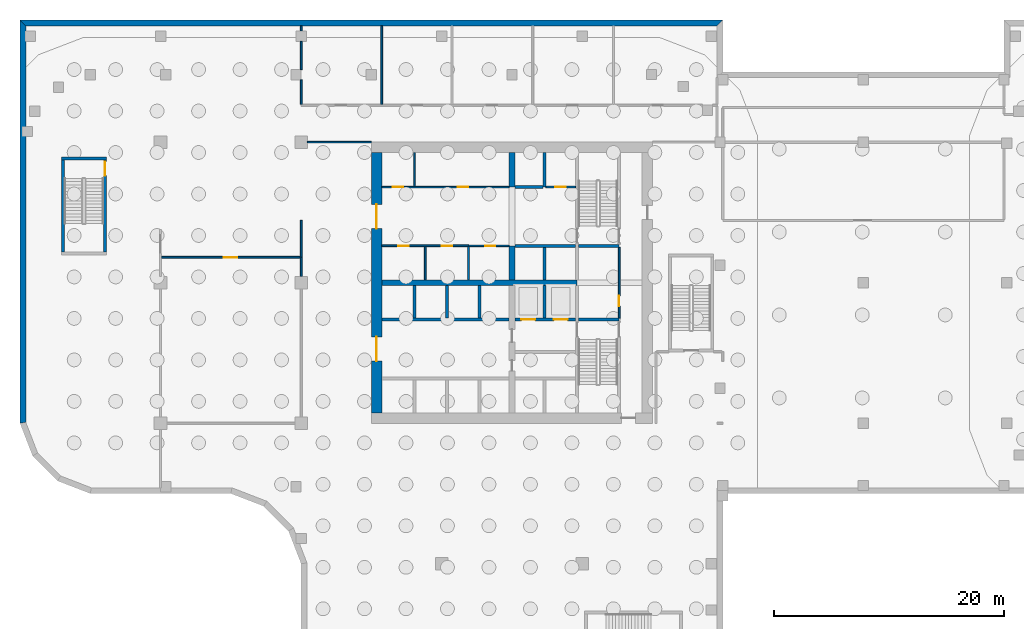
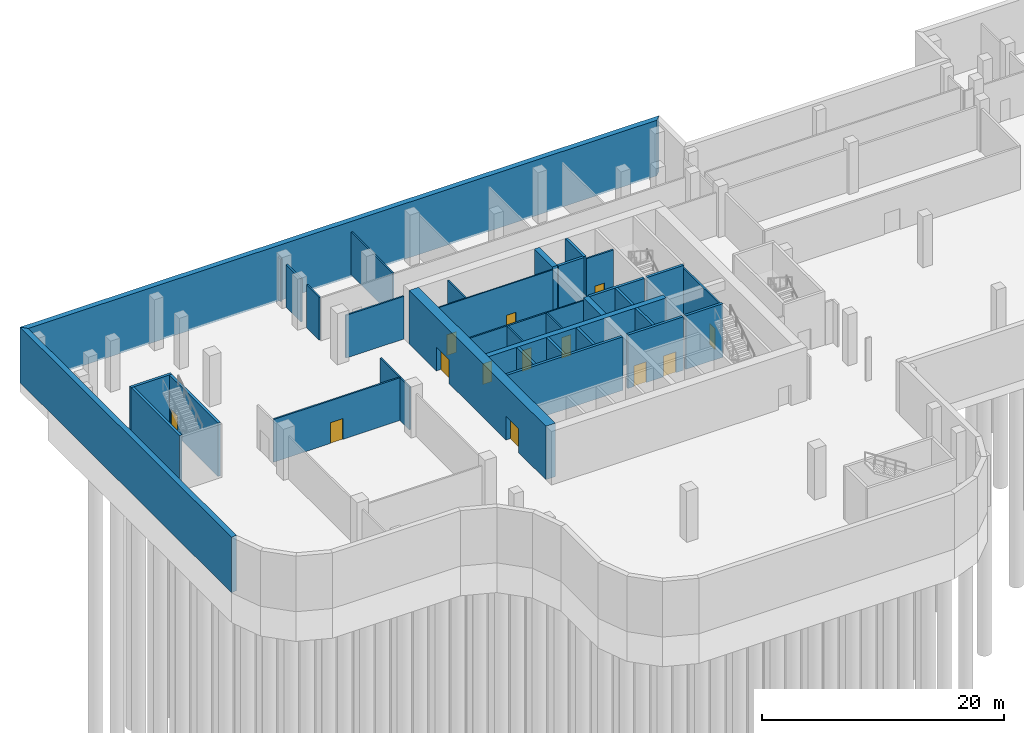
# One storey, part 5 of 13: 37 walls, 13 doors, 13 openings.
"""IFC4 building model written with IfcOpenShell, lengths in metres."""

from ifc_helpers import new_model, si_unit, direction, frame, frame_2d, origin, place, context, subcontext, project, spatial, polyline, rectangle, outline, extrude, source, transform, mapped, material, layer, layer_set, type_object, element, fill, save


model = new_model("IFC4")

# Units and contexts
model_context = context("Model", 3, precision=1e-05, world=origin(), true_north=direction((0.0, 1.0)))
body_context = subcontext(model_context, "Body", "Model", "MODEL_VIEW")
ifc_project = project(units=[si_unit("LENGTHUNIT", "METRE"), si_unit("AREAUNIT", "SQUARE_METRE"), si_unit("VOLUMEUNIT", "CUBIC_METRE"), si_unit("PLANEANGLEUNIT", "RADIAN"), si_unit("MASSUNIT", "GRAM", prefix="KILO")], contexts=[model_context])

# Site, building, storey
site_placement = place(None, origin())
site = spatial("IfcSite", under=ifc_project, at=site_placement, CompositionType="ELEMENT")
building_placement = place(site_placement, origin())
building = spatial("IfcBuilding", under=site, at=building_placement, Name="Tessera Gate Towers", CompositionType="ELEMENT")
storey_placement = place(building_placement, frame((0.0, 0.0, -5.39990234375)))
storey = spatial("IfcBuildingStorey", under=building, at=storey_placement, Name="B1", CompositionType="ELEMENT", Elevation=-5.39990234375)

# Wall
ifc_material_1 = material(Name="Concrete C40/50", Category="concrete")
ifc_layer_1 = layer(ifc_material_1, 0.25)
ifc_layer_set_1 = layer_set([ifc_layer_1], Name="CORE ENCLOSURE WALL 250")
wall_type_1 = type_object("IfcWallType", Name="CORE ENCLOSURE WALL 250", PredefinedType="SOLIDWALL", material=ifc_layer_set_1)
wall_1_placement = place(storey_placement, frame((31.39990234375, 33.39990234375, 0.0), z_axis=(0.0, 0.0, 1.0), x_axis=(1.0, 0.0, 0.0)))
element("IfcWall", 1, at=wall_1_placement, inside=storey, type_object=wall_type_1, Name="B1 shaft and stair enclosure wall", PredefinedType="SOLIDWALL", context=body_context, shape_type="SweptSolid", body=[
    extrude(rectangle(XDim=11.050048828125, YDim=0.25, at=frame_2d((5.52490234375, 0.0))), origin(), (0.0, 0.0, 1.0), 5.39990234375),
])

# Wall, openings, doors
wall_2_placement = place(storey_placement, frame((48.22509765625, 33.39990234375, 0.0), z_axis=(0.0, 0.0, 1.0), x_axis=(-1.0, 0.0, 0.0)))
wall_2 = element("IfcWall", 2, at=wall_2_placement, inside=storey, type_object=wall_type_1, Name="B1 shaft and stair enclosure wall", PredefinedType="SOLIDWALL", context=body_context, shape_type="SweptSolid", body=[
    extrude(rectangle(XDim=5.275146484375, YDim=0.25, at=frame_2d((2.6376953125, 0.0))), origin(), (0.0, 0.0, 1.0), 5.39990234375),
])
shared_shape_1 = source(origin(), body_context, "Body", "SweptSolid", [
    extrude(rectangle(XDim=1.199951171875, YDim=2.10009765625, at=frame_2d((0.60009765625, 1.050048828125))), frame((0.0, 0.135009765625, 0.0), z_axis=(0.0, -1.0, 0.0), x_axis=(1.0, 0.0, 0.0)), (0.0, 0.0, 1.0), 0.27001953125),
])
opening_1_placement = place(wall_2_placement, frame((3.512451171875, 0.0, 0.0)))
opening_1 = element("IfcOpeningElement", 3, at=opening_1_placement, cuts=wall_2, Name="Opening LD-FF1", PredefinedType="OPENING", context=body_context, shape_type="MappedRepresentation", body=[
    mapped(shared_shape_1, transform((0.0, 0.0, 0.0), scale=1.0)),
])
opening_2_placement = place(wall_2_placement, frame((0.6875, 0.0, 0.0)))
opening_2 = element("IfcOpeningElement", 4, at=opening_2_placement, cuts=wall_2, Name="Opening LD-FF2", PredefinedType="OPENING", context=body_context, shape_type="MappedRepresentation", body=[
    mapped(shared_shape_1, transform((0.0, 0.0, 0.0), scale=1.0)),
])
ifc_material_2 = material(Name="Stainless steel", Category="steel")
door_type_1 = type_object("IfcDoorType", Name="CORE DOOR LD1200 1200x2100", OperationType="DOUBLE_DOOR_SLIDING", PredefinedType="DOOR", material=ifc_material_2)
shared_shape_2 = source(origin(), body_context, "Body", "SweptSolid", [
    extrude(rectangle(XDim=1.199951171875, YDim=2.10009765625, at=frame_2d((0.60009765625, 1.050048828125))), frame((0.0, 0.02490234375, 0.0), z_axis=(0.0, -1.0, 0.0), x_axis=(1.0, 0.0, 0.0)), (0.0, 0.0, 1.0), 0.050048828125),
])
door_1_placement = place(opening_1_placement, origin())
door_1 = element("IfcDoor", 5, at=door_1_placement, inside=storey, type_object=door_type_1, Name="Landing door FF1 B1", OperationType="DOUBLE_DOOR_SLIDING", OverallHeight=2.10009765625, OverallWidth=1.199951171875, PredefinedType="DOOR", context=body_context, shape_type="MappedRepresentation", body=[
    mapped(shared_shape_2, transform((0.0, 0.0, 0.0), scale=1.0)),
])
fill(opening_1, door_1)
door_2_placement = place(opening_2_placement, origin())
door_2 = element("IfcDoor", 6, at=door_2_placement, inside=storey, type_object=door_type_1, Name="Landing door FF2 B1", OperationType="DOUBLE_DOOR_SLIDING", OverallHeight=2.10009765625, OverallWidth=1.199951171875, PredefinedType="DOOR", context=body_context, shape_type="MappedRepresentation", body=[
    mapped(shared_shape_2, transform((0.0, 0.0, 0.0), scale=1.0)),
])
fill(opening_2, door_2)

# Walls
wall_3_placement = place(storey_placement, frame((48.47509765625, 33.39990234375, 0.0), z_axis=(0.0, 0.0, 1.0), x_axis=(1.0, 0.0, 0.0)))
element("IfcWall", 7, at=wall_3_placement, inside=storey, type_object=wall_type_1, Name="B1 shaft and stair enclosure wall", PredefinedType="SOLIDWALL", context=body_context, shape_type="SweptSolid", body=[
    extrude(rectangle(XDim=3.52490234375, YDim=0.25, at=frame_2d((1.762451171875, 0.0))), origin(), (0.0, 0.0, 1.0), 5.39990234375),
])
wall_4_placement = place(storey_placement, frame((42.949951171875, 39.800048828125, 0.0), z_axis=(0.0, 0.0, 1.0), x_axis=(1.0, 0.0, 0.0)))
element("IfcWall", 8, at=wall_4_placement, inside=storey, type_object=wall_type_1, Name="B1 shaft and stair enclosure wall", PredefinedType="SOLIDWALL", context=body_context, shape_type="SweptSolid", body=[
    extrude(rectangle(XDim=5.275146484375, YDim=0.25, at=frame_2d((2.6376953125, 0.0))), origin(), (0.0, 0.0, 1.0), 5.39990234375),
])
wall_5_placement = place(storey_placement, frame((48.47509765625, 39.800048828125, 0.0), z_axis=(0.0, 0.0, 1.0), x_axis=(1.0, 0.0, 0.0)))
element("IfcWall", 9, at=wall_5_placement, inside=storey, type_object=wall_type_1, Name="B1 shaft and stair enclosure wall", PredefinedType="SOLIDWALL", context=body_context, shape_type="SweptSolid", body=[
    extrude(rectangle(XDim=3.52490234375, YDim=0.25, at=frame_2d((1.762451171875, 0.0))), origin(), (0.0, 0.0, 1.0), 5.39990234375),
])
wall_6_placement = place(storey_placement, frame((45.52490234375, 33.52490234375, 0.0), z_axis=(0.0, 0.0, 1.0), x_axis=(0.0, 1.0, 0.0)))
element("IfcWall", 10, at=wall_6_placement, inside=storey, type_object=wall_type_1, Name="B1 shaft and stair enclosure wall", PredefinedType="SOLIDWALL", context=body_context, shape_type="SweptSolid", body=[
    extrude(rectangle(XDim=2.8251953125, YDim=0.25, at=frame_2d((1.41259765625, 0.0))), origin(), (0.0, 0.0, 1.0), 5.39990234375),
])
wall_7_placement = place(storey_placement, frame((45.52490234375, 36.85009765625, 0.0), z_axis=(0.0, 0.0, 1.0), x_axis=(0.0, 1.0, 0.0)))
element("IfcWall", 11, at=wall_7_placement, inside=storey, type_object=wall_type_1, Name="B1 shaft and stair enclosure wall", PredefinedType="SOLIDWALL", context=body_context, shape_type="SweptSolid", body=[
    extrude(rectangle(XDim=2.824951171875, YDim=0.25, at=frame_2d((1.41259765625, 0.0))), origin(), (0.0, 0.0, 1.0), 5.39990234375),
])
for number, where, z_axis, x_axis, name in (
    (12, (34.22509765625, 33.52490234375, 0.0), (0.0, 0.0, 1.0), (0.0, 1.0, 0.0), "B1 shaft and stair enclosure wall"),
    (13, (37.050048828125, 33.52490234375, 0.0), (0.0, 0.0, 1.0), (0.0, 1.0, 0.0), "B1 shaft and stair enclosure wall"),
    (14, (39.875, 33.52490234375, 0.0), (0.0, 0.0, 1.0), (0.0, 1.0, 0.0), "B1 shaft and stair enclosure wall"),
):
    element("IfcWall", number, at=place(storey_placement, frame(where, z_axis=z_axis, x_axis=x_axis)), inside=storey, type_object=wall_type_1, Name=name, PredefinedType="SOLIDWALL", context=body_context, shape_type="SweptSolid", body=[
        extrude(rectangle(XDim=2.8251953125, YDim=0.25, at=frame_2d((1.41259765625, 0.0))), origin(), (0.0, 0.0, 1.0), 5.39990234375),
    ])
wall_8_placement = place(storey_placement, frame((45.52490234375, 44.89990234375, 0.0), z_axis=(0.0, 0.0, 1.0), x_axis=(0.0, 1.0, 0.0)))
element("IfcWall", 15, at=wall_8_placement, inside=storey, type_object=wall_type_1, Name="B1 shaft and stair enclosure wall", PredefinedType="SOLIDWALL", context=body_context, shape_type="SweptSolid", body=[
    extrude(rectangle(XDim=3.0, YDim=0.25, at=frame_2d((1.5, 0.0))), origin(), (0.0, 0.0, 1.0), 5.39990234375),
])
wall_9_placement = place(storey_placement, frame((42.949951171875, 44.89990234375, 0.0), z_axis=(0.0, 0.0, 1.0), x_axis=(1.0, 0.0, 0.0)))
element("IfcWall", 16, at=wall_9_placement, inside=storey, type_object=wall_type_1, Name="B1 shaft and stair enclosure wall", PredefinedType="SOLIDWALL", context=body_context, shape_type="SweptSolid", body=[
    extrude(rectangle(XDim=2.449951171875, YDim=0.25, at=frame_2d((1.22509765625, 0.0))), origin(), (0.0, 0.0, 1.0), 5.39990234375),
])
wall_10_placement = place(storey_placement, frame((3.72509765625, 39.25, 0.0), z_axis=(0.0, 0.0, 1.0), x_axis=(0.0, 1.0, 0.0)))
element("IfcWall", 17, at=wall_10_placement, inside=storey, type_object=wall_type_1, Name="B1 ST3 enclosure wall", PredefinedType="SOLIDWALL", context=body_context, shape_type="SweptSolid", body=[
    extrude(rectangle(XDim=8.0, YDim=0.25, at=frame_2d((4.0, 0.0))), origin(), (0.0, 0.0, 1.0), 5.39990234375),
])
wall_11_placement = place(storey_placement, frame((3.60009765625, 47.375, 0.0), z_axis=(0.0, 0.0, 1.0), x_axis=(1.0, 0.0, 0.0)))
element("IfcWall", 18, at=wall_11_placement, inside=storey, type_object=wall_type_1, Name="B1 ST3 enclosure wall", PredefinedType="SOLIDWALL", context=body_context, shape_type="SweptSolid", body=[
    extrude(rectangle(XDim=3.89990234375, YDim=0.25, at=frame_2d((1.949951171875, 0.0))), origin(), (0.0, 0.0, 1.0), 5.39990234375),
])

# Wall, opening, door
wall_12_placement = place(storey_placement, frame((7.375, 47.25, 0.0), z_axis=(0.0, 0.0, 1.0), x_axis=(0.0, -1.0, 0.0)))
wall_12 = element("IfcWall", 19, at=wall_12_placement, inside=storey, type_object=wall_type_1, Name="B1 ST3 enclosure wall", PredefinedType="SOLIDWALL", context=body_context, shape_type="SweptSolid", body=[
    extrude(rectangle(XDim=8.0, YDim=0.25, at=frame_2d((4.0, 0.0))), origin(), (0.0, 0.0, 1.0), 5.39990234375),
])
opening_3_placement = place(wall_12_placement, frame((0.14990234375, 0.0, 0.0)))
opening_3 = element("IfcOpeningElement", 20, at=opening_3_placement, cuts=wall_12, Name="Opening SD-ST3-1", PredefinedType="OPENING", context=body_context, shape_type="MappedRepresentation", body=[
    mapped(shared_shape_1, transform((0.0, 0.0, 0.0), scale=1.0)),
])
ifc_material_3 = material(Name="Hollow steel fire door", Category="steel")
door_type_2 = type_object("IfcDoorType", Name="CORE DOOR SD 1200x2100", OperationType="NOTDEFINED", PredefinedType="DOOR", material=ifc_material_3)
door_3_placement = place(opening_3_placement, origin())
door_3 = element("IfcDoor", 21, at=door_3_placement, inside=storey, type_object=door_type_2, Name="Stair door", OperationType="SINGLE_SWING_LEFT", OverallHeight=2.10009765625, OverallWidth=1.199951171875, PredefinedType="DOOR", context=body_context, shape_type="MappedRepresentation", body=[
    mapped(shared_shape_2, transform((0.0, 0.0, 0.0), scale=1.0)),
])
fill(opening_3, door_3)

# Wall, openings, doors
ifc_material_4 = material(Name="Gypsum board on steel studs", Category="steel")
ifc_layer_2 = layer(ifc_material_4, 0.1201171875)
ifc_layer_set_2 = layer_set([ifc_layer_2], Name="CORE PARTITION 120")
wall_type_2 = type_object("IfcWallType", Name="CORE PARTITION 120", PredefinedType="PARTITIONING", material=ifc_layer_set_2)
wall_13_placement = place(storey_placement, frame((31.39990234375, 44.89990234375, 0.0), z_axis=(0.0, 0.0, 1.0), x_axis=(1.0, 0.0, 0.0)))
wall_13 = element("IfcWall", 22, at=wall_13_placement, inside=storey, type_object=wall_type_2, Name="B1 core partition", PredefinedType="PARTITIONING", context=body_context, shape_type="SweptSolid", body=[
    extrude(rectangle(XDim=11.050048828125, YDim=0.1201171875, at=frame_2d((5.52490234375, 0.0))), origin(), (0.0, 0.0, 1.0), 5.14990234375),
])
shared_shape_3 = source(origin(), body_context, "Body", "SweptSolid", [
    extrude(rectangle(XDim=0.89990234375, YDim=2.10009765625, at=frame_2d((0.449951171875, 1.050048828125))), frame((0.0, 0.070068359375, 0.0), z_axis=(0.0, -1.0, 0.0), x_axis=(1.0, 0.0, 0.0)), (0.0, 0.0, 1.0), 0.14013671875),
])
opening_4_placement = place(wall_13_placement, frame((0.96240234375, 0.0, 0.0)))
opening_4 = element("IfcOpeningElement", 23, at=opening_4_placement, cuts=wall_13, Name="Opening RD-T1-01-07", PredefinedType="OPENING", context=body_context, shape_type="MappedRepresentation", body=[
    mapped(shared_shape_3, transform((0.0, 0.0, 0.0), scale=1.0)),
])
opening_5_placement = place(wall_13_placement, frame((6.612548828125, 0.0, 0.0)))
opening_5 = element("IfcOpeningElement", 24, at=opening_5_placement, cuts=wall_13, Name="Opening RD-T1-01-08", PredefinedType="OPENING", context=body_context, shape_type="MappedRepresentation", body=[
    mapped(shared_shape_3, transform((0.0, 0.0, 0.0), scale=1.0)),
])
ifc_material_5 = material(Name="Hollow steel fire door", Category="steel")
door_type_3 = type_object("IfcDoorType", Name="CORE DOOR RD 900x2100", OperationType="NOTDEFINED", PredefinedType="DOOR", material=ifc_material_5)
shared_shape_4 = source(origin(), body_context, "Body", "SweptSolid", [
    extrude(rectangle(XDim=0.89990234375, YDim=2.10009765625, at=frame_2d((0.449951171875, 1.050048828125))), frame((0.0, 0.02490234375, 0.0), z_axis=(0.0, -1.0, 0.0), x_axis=(1.0, 0.0, 0.0)), (0.0, 0.0, 1.0), 0.050048828125),
])
door_4_placement = place(opening_4_placement, origin())
door_4 = element("IfcDoor", 25, at=door_4_placement, inside=storey, type_object=door_type_3, Name="Core room door", OperationType="SINGLE_SWING_LEFT", OverallHeight=2.10009765625, OverallWidth=0.89990234375, PredefinedType="DOOR", context=body_context, shape_type="MappedRepresentation", body=[
    mapped(shared_shape_4, transform((0.0, 0.0, 0.0), scale=1.0)),
])
fill(opening_4, door_4)
door_5_placement = place(opening_5_placement, origin())
door_5 = element("IfcDoor", 26, at=door_5_placement, inside=storey, type_object=door_type_3, Name="Core room door", OperationType="SINGLE_SWING_RIGHT", OverallHeight=2.10009765625, OverallWidth=0.89990234375, PredefinedType="DOOR", context=body_context, shape_type="MappedRepresentation", body=[
    mapped(shared_shape_4, transform((0.0, 0.0, 0.0), scale=1.0)),
])
fill(opening_5, door_5)

# Wall, opening, door
wall_14_placement = place(storey_placement, frame((42.449951171875, 39.800048828125, 0.0), z_axis=(0.0, 0.0, 1.0), x_axis=(-1.0, 0.0, 0.0)))
wall_14 = element("IfcWall", 27, at=wall_14_placement, inside=storey, type_object=wall_type_2, Name="B1 core partition", PredefinedType="PARTITIONING", context=body_context, shape_type="SweptSolid", body=[
    extrude(rectangle(XDim=3.52490234375, YDim=0.1201171875, at=frame_2d((1.762451171875, 0.0))), origin(), (0.0, 0.0, 1.0), 5.14990234375),
])
opening_6_placement = place(wall_14_placement, frame((1.1875, 0.0, 0.0)))
opening_6 = element("IfcOpeningElement", 28, at=opening_6_placement, cuts=wall_14, Name="Opening RD-T1-01-12", PredefinedType="OPENING", context=body_context, shape_type="MappedRepresentation", body=[
    mapped(shared_shape_3, transform((0.0, 0.0, 0.0), scale=1.0)),
])
door_6_placement = place(opening_6_placement, origin())
door_6 = element("IfcDoor", 29, at=door_6_placement, inside=storey, type_object=door_type_3, Name="Core room door", OperationType="SINGLE_SWING_LEFT", OverallHeight=2.10009765625, OverallWidth=0.89990234375, PredefinedType="DOOR", context=body_context, shape_type="MappedRepresentation", body=[
    mapped(shared_shape_4, transform((0.0, 0.0, 0.0), scale=1.0)),
])
fill(opening_6, door_6)

# Wall
wall_15_placement = place(storey_placement, frame((34.22509765625, 44.9599609375, 0.0), z_axis=(0.0, 0.0, 1.0), x_axis=(0.0, 1.0, 0.0)))
element("IfcWall", 30, at=wall_15_placement, inside=storey, type_object=wall_type_2, Name="B1 core partition", PredefinedType="PARTITIONING", context=body_context, shape_type="SweptSolid", body=[
    extrude(rectangle(XDim=2.93994140625, YDim=0.1201171875, at=frame_2d((1.469970703125, 0.0))), origin(), (0.0, 0.0, 1.0), 5.14990234375),
])

# Wall, openings, doors
ifc_material_6 = material(Name="Concrete C70/85", Category="concrete")
ifc_layer_3 = layer(ifc_material_6, 0.89990234375)
ifc_layer_set_3 = layer_set([ifc_layer_3], Name="CORE SHEAR WALL 900 C70/85")
wall_type_3 = type_object("IfcWallType", Name="CORE SHEAR WALL 900 C70/85", PredefinedType="SHEAR", material=ifc_layer_set_3)
wall_16_placement = place(storey_placement, frame((30.949951171875, 25.300048828125, 0.0), z_axis=(0.0, 0.0, 1.0), x_axis=(0.0, 1.0, 0.0)))
wall_16 = element("IfcWall", 31, at=wall_16_placement, inside=storey, type_object=wall_type_3, Name="Core wall W B1", PredefinedType="SHEAR", context=body_context, shape_type="SweptSolid", body=[
    extrude(rectangle(XDim=22.599853515625, YDim=0.89990234375, at=frame_2d((11.2998046875, 0.0))), origin(), (0.0, 0.0, 1.0), 5.39990234375),
])
shared_shape_5 = source(origin(), body_context, "Body", "SweptSolid", [
    extrude(rectangle(XDim=2.10009765625, YDim=2.39990234375, at=frame_2d((1.050048828125, 1.199951171875))), frame((0.0, 0.4599609375, 0.0), z_axis=(0.0, -1.0, 0.0), x_axis=(1.0, 0.0, 0.0)), (0.0, 0.0, 1.0), 0.919921875),
])
opening_7_placement = place(wall_16_placement, frame((4.5, 0.0, 0.0)))
opening_7 = element("IfcOpeningElement", 32, at=opening_7_placement, cuts=wall_16, Name="Opening DD-T1-01-02", PredefinedType="OPENING", context=body_context, shape_type="MappedRepresentation", body=[
    mapped(shared_shape_5, transform((0.0, 0.0, 0.0), scale=1.0)),
])
opening_8_placement = place(wall_16_placement, frame((16.0, 0.0, 0.0)))
opening_8 = element("IfcOpeningElement", 33, at=opening_8_placement, cuts=wall_16, Name="Opening DD-T1-01-03", PredefinedType="OPENING", context=body_context, shape_type="MappedRepresentation", body=[
    mapped(shared_shape_5, transform((0.0, 0.0, 0.0), scale=1.0)),
])
ifc_material_7 = material(Name="Hollow steel fire door", Category="steel")
door_type_4 = type_object("IfcDoorType", Name="CORE DOOR DD 2100x2400", OperationType="NOTDEFINED", PredefinedType="DOOR", material=ifc_material_7)
shared_shape_6 = source(origin(), body_context, "Body", "SweptSolid", [
    extrude(rectangle(XDim=2.10009765625, YDim=2.39990234375, at=frame_2d((1.050048828125, 1.199951171875))), frame((0.0, 0.02490234375, 0.0), z_axis=(0.0, -1.0, 0.0), x_axis=(1.0, 0.0, 0.0)), (0.0, 0.0, 1.0), 0.050048828125),
])
door_7_placement = place(opening_7_placement, origin())
door_7 = element("IfcDoor", 34, at=door_7_placement, inside=storey, type_object=door_type_4, Name="Core entrance door", OperationType="DOUBLE_DOOR_SINGLE_SWING", OverallHeight=2.39990234375, OverallWidth=2.10009765625, PredefinedType="DOOR", context=body_context, shape_type="MappedRepresentation", body=[
    mapped(shared_shape_6, transform((0.0, 0.0, 0.0), scale=1.0)),
])
fill(opening_7, door_7)
door_8_placement = place(opening_8_placement, origin())
door_8 = element("IfcDoor", 35, at=door_8_placement, inside=storey, type_object=door_type_4, Name="Core entrance door", OperationType="DOUBLE_DOOR_SINGLE_SWING", OverallHeight=2.39990234375, OverallWidth=2.10009765625, PredefinedType="DOOR", context=body_context, shape_type="MappedRepresentation", body=[
    mapped(shared_shape_6, transform((0.0, 0.0, 0.0), scale=1.0)),
])
fill(opening_8, door_8)

# Walls
ifc_material_8 = material(Name="Concrete C70/85", Category="concrete")
ifc_layer_4 = layer(ifc_material_8, 0.5)
ifc_layer_set_4 = layer_set([ifc_layer_4], Name="CORE SPINE WALL 500 C70/85")
wall_type_4 = type_object("IfcWallType", Name="CORE SPINE WALL 500 C70/85", PredefinedType="SHEAR", material=ifc_layer_set_4)
wall_17_placement = place(storey_placement, frame((31.39990234375, 36.60009765625, 0.0), z_axis=(0.0, 0.0, 1.0), x_axis=(1.0, 0.0, 0.0)))
element("IfcWall", 36, at=wall_17_placement, inside=storey, type_object=wall_type_4, Name="Core wall spine B1", PredefinedType="SHEAR", context=body_context, shape_type="SweptSolid", body=[
    extrude(rectangle(XDim=16.9501953125, YDim=0.5, at=frame_2d((8.47509765625, 0.0))), origin(), (0.0, 0.0, 1.0), 5.39990234375),
])
wall_18_placement = place(storey_placement, frame((42.699951171875, 36.85009765625, 0.0), z_axis=(0.0, 0.0, 1.0), x_axis=(0.0, 1.0, 0.0)))
element("IfcWall", 37, at=wall_18_placement, inside=storey, type_object=wall_type_4, Name="Core wall spine B1", PredefinedType="SHEAR", context=body_context, shape_type="SweptSolid", body=[
    extrude(rectangle(XDim=2.949951171875, YDim=0.5, at=frame_2d((1.47509765625, 0.0))), origin(), (0.0, 0.0, 1.0), 5.39990234375),
])
wall_19_placement = place(storey_placement, frame((42.699951171875, 44.89990234375, 0.0), z_axis=(0.0, 0.0, 1.0), x_axis=(0.0, 1.0, 0.0)))
element("IfcWall", 38, at=wall_19_placement, inside=storey, type_object=wall_type_4, Name="Core wall spine B1", PredefinedType="SHEAR", context=body_context, shape_type="SweptSolid", body=[
    extrude(rectangle(XDim=3.0, YDim=0.5, at=frame_2d((1.5, 0.0))), origin(), (0.0, 0.0, 1.0), 5.39990234375),
])
ifc_material_9 = material(Name="Gypsum board on steel studs, mineral wool", Category="steel")
ifc_layer_5 = layer(ifc_material_9, 0.14990234375)
ifc_layer_set_5 = layer_set([ifc_layer_5], Name="CORRIDOR WALL 150")
wall_type_5 = type_object("IfcWallType", Name="CORRIDOR WALL 150", PredefinedType="PARTITIONING", material=ifc_layer_set_5)
wall_20_placement = place(storey_placement, frame((24.39990234375, 38.800048828125, 0.0), z_axis=(0.0, 0.0, 1.0), x_axis=(0.0, 1.0, 0.0)))
element("IfcWall", 39, at=wall_20_placement, inside=storey, type_object=wall_type_5, Name="PODIUM-B1-PW-013", PredefinedType="PARTITIONING", context=body_context, shape_type="SweptSolid", body=[
    extrude(rectangle(XDim=3.199951171875, YDim=0.14990234375, at=frame_2d((1.60009765625, 0.0))), origin(), (0.0, 0.0, 1.0), 4.31494140625),
])
wall_21_placement = place(storey_placement, frame((24.950927734375, 48.800048828125, 0.0), z_axis=(0.0, 0.0, 1.0), x_axis=(1.0, 0.0, 0.0)))
element("IfcWall", 40, at=wall_21_placement, inside=storey, type_object=wall_type_5, Name="PODIUM-B1-PW-017", PredefinedType="PARTITIONING", context=body_context, shape_type="SweptSolid", body=[
    extrude(rectangle(XDim=5.549072265625, YDim=0.14990234375, at=frame_2d((2.7744140625, 0.0))), origin(), (0.0, 0.0, 1.0), 4.31494140625),
])
ifc_material_10 = material(Name="Concrete C40/50", Category="concrete")
ifc_layer_6 = layer(ifc_material_10, 0.5)
ifc_layer_set_6 = layer_set([ifc_layer_6], Name="RETAINING WALL 500 C40/50")
wall_type_6 = type_object("IfcWallType", Name="RETAINING WALL 500 C40/50", PredefinedType="SOLIDWALL", material=ifc_layer_set_6)
wall_22_placement = place(storey_placement, frame((0.0, 0.0, -0.2001953125)))
element("IfcWall", 41, at=wall_22_placement, inside=storey, type_object=wall_type_6, Name="PD-B1-RETAINING-15", PredefinedType="SOLIDWALL", context=body_context, shape_type="SweptSolid", body=[
    extrude(outline(polyline([(0.0, 24.39990234375), (0.5, 24.4931640625), (0.5, 58.89990234375), (0.0, 59.39990234375), (0.0, 24.39990234375)])), origin(), (0.0, 0.0, 1.0), 5.60009765625),
])
wall_23_placement = place(storey_placement, frame((0.0, 0.0, -0.2001953125)))
element("IfcWall", 42, at=wall_23_placement, inside=storey, type_object=wall_type_6, Name="PD-B1-RETAINING-16", PredefinedType="SOLIDWALL", context=body_context, shape_type="SweptSolid", body=[
    extrude(outline(polyline([(0.0, 59.39990234375), (0.5, 58.89990234375), (60.5, 58.89990234375), (61.0, 59.39990234375), (0.0, 59.39990234375)])), origin(), (0.0, 0.0, 1.0), 5.60009765625),
])

# Wall, openings, doors
ifc_material_11 = material(Name="Gypsum board on steel studs", Category="steel")
ifc_layer_7 = layer(ifc_material_11, 0.14990234375)
ifc_layer_set_7 = layer_set([ifc_layer_7], Name="SERVICE ROOM WALL 150")
wall_type_7 = type_object("IfcWallType", Name="SERVICE ROOM WALL 150", PredefinedType="PARTITIONING", material=ifc_layer_set_7)
wall_24_placement = place(storey_placement, frame((38.925048828125, 39.800048828125, 0.0), z_axis=(0.0, 0.0, 1.0), x_axis=(-1.0, 0.0, 0.0)))
wall_24 = element("IfcWall", 43, at=wall_24_placement, inside=storey, type_object=wall_type_7, Name="B1 service room wall", PredefinedType="PARTITIONING", context=body_context, shape_type="SweptSolid", body=[
    extrude(rectangle(XDim=7.525146484375, YDim=0.14990234375, at=frame_2d((3.7626953125, 0.0))), origin(), (0.0, 0.0, 1.0), 5.14990234375),
])
shared_shape_7 = source(origin(), body_context, "Body", "SweptSolid", [
    extrude(rectangle(XDim=0.89990234375, YDim=2.10009765625, at=frame_2d((0.449951171875, 1.050048828125))), frame((0.0, 0.0849609375, 0.0), z_axis=(0.0, -1.0, 0.0), x_axis=(1.0, 0.0, 0.0)), (0.0, 0.0, 1.0), 0.169921875),
])
opening_9_placement = place(wall_24_placement, frame((5.1875, 0.0, 0.0)))
opening_9 = element("IfcOpeningElement", 44, at=opening_9_placement, cuts=wall_24, Name="Opening RD-T1-01-09", PredefinedType="OPENING", context=body_context, shape_type="MappedRepresentation", body=[
    mapped(shared_shape_7, transform((0.0, 0.0, 0.0), scale=1.0)),
])
opening_10_placement = place(wall_24_placement, frame((1.425048828125, 0.0, 0.0)))
opening_10 = element("IfcOpeningElement", 45, at=opening_10_placement, cuts=wall_24, Name="Opening RD-T1-01-10", PredefinedType="OPENING", context=body_context, shape_type="MappedRepresentation", body=[
    mapped(shared_shape_7, transform((0.0, 0.0, 0.0), scale=1.0)),
])
door_9_placement = place(opening_9_placement, origin())
door_9 = element("IfcDoor", 46, at=door_9_placement, inside=storey, type_object=door_type_3, Name="Core room door", OperationType="SINGLE_SWING_RIGHT", OverallHeight=2.10009765625, OverallWidth=0.89990234375, PredefinedType="DOOR", context=body_context, shape_type="MappedRepresentation", body=[
    mapped(shared_shape_4, transform((0.0, 0.0, 0.0), scale=1.0)),
])
fill(opening_9, door_9)
door_10_placement = place(opening_10_placement, origin())
door_10 = element("IfcDoor", 47, at=door_10_placement, inside=storey, type_object=door_type_3, Name="Core room door", OperationType="SINGLE_SWING_LEFT", OverallHeight=2.10009765625, OverallWidth=0.89990234375, PredefinedType="DOOR", context=body_context, shape_type="MappedRepresentation", body=[
    mapped(shared_shape_4, transform((0.0, 0.0, 0.0), scale=1.0)),
])
fill(opening_10, door_10)

# Wall, opening, door
wall_25_placement = place(storey_placement, frame((52.0, 33.52490234375, 0.0), z_axis=(0.0, 0.0, 1.0), x_axis=(0.0, 1.0, 0.0)))
wall_25 = element("IfcWall", 48, at=wall_25_placement, inside=storey, type_object=wall_type_7, Name="B1 service room wall", PredefinedType="PARTITIONING", context=body_context, shape_type="SweptSolid", body=[
    extrude(rectangle(XDim=6.150146484375, YDim=0.14990234375, at=frame_2d((3.0751953125, 0.0))), origin(), (0.0, 0.0, 1.0), 5.14990234375),
])
opening_11_placement = place(wall_25_placement, frame((1.02490234375, 0.0, 0.0)))
opening_11 = element("IfcOpeningElement", 49, at=opening_11_placement, cuts=wall_25, Name="Opening RD-T1-01-11", PredefinedType="OPENING", context=body_context, shape_type="MappedRepresentation", body=[
    mapped(shared_shape_7, transform((0.0, 0.0, 0.0), scale=1.0)),
])
door_11_placement = place(opening_11_placement, origin())
door_11 = element("IfcDoor", 50, at=door_11_placement, inside=storey, type_object=door_type_3, Name="Core room door", OperationType="SINGLE_SWING_LEFT", OverallHeight=2.10009765625, OverallWidth=0.89990234375, PredefinedType="DOOR", context=body_context, shape_type="MappedRepresentation", body=[
    mapped(shared_shape_4, transform((0.0, 0.0, 0.0), scale=1.0)),
])
fill(opening_11, door_11)

# Walls
for number, where, z_axis, x_axis, name in (
    (51, (35.175048828125, 36.85009765625, 0.0), (0.0, 0.0, 1.0), (0.0, 1.0, 0.0), "B1 service room wall"),
    (52, (38.925048828125, 36.85009765625, 0.0), (0.0, 0.0, 1.0), (0.0, 1.0, 0.0), "B1 service room wall"),
):
    element("IfcWall", number, at=place(storey_placement, frame(where, z_axis=z_axis, x_axis=x_axis)), inside=storey, type_object=wall_type_7, Name=name, PredefinedType="PARTITIONING", context=body_context, shape_type="SweptSolid", body=[
        extrude(rectangle(XDim=2.875, YDim=0.14990234375, at=frame_2d((1.4375, 0.0))), origin(), (0.0, 0.0, 1.0), 5.14990234375),
    ])

# Wall, opening, door
wall_26_placement = place(storey_placement, frame((45.64990234375, 44.89990234375, 0.0), z_axis=(0.0, 0.0, 1.0), x_axis=(1.0, 0.0, 0.0)))
wall_26 = element("IfcWall", 53, at=wall_26_placement, inside=storey, type_object=wall_type_7, Name="B1 service room wall", PredefinedType="PARTITIONING", context=body_context, shape_type="SweptSolid", body=[
    extrude(rectangle(XDim=2.5751953125, YDim=0.14990234375, at=frame_2d((1.28759765625, 0.0))), origin(), (0.0, 0.0, 1.0), 5.14990234375),
])
opening_12_placement = place(wall_26_placement, frame((0.800048828125, 0.0, 0.0)))
opening_12 = element("IfcOpeningElement", 54, at=opening_12_placement, cuts=wall_26, Name="Opening RD-T1-01-13", PredefinedType="OPENING", context=body_context, shape_type="MappedRepresentation", body=[
    mapped(shared_shape_7, transform((0.0, 0.0, 0.0), scale=1.0)),
])
door_12_placement = place(opening_12_placement, origin())
door_12 = element("IfcDoor", 55, at=door_12_placement, inside=storey, type_object=door_type_3, Name="Core room door", OperationType="SINGLE_SWING_LEFT", OverallHeight=2.10009765625, OverallWidth=0.89990234375, PredefinedType="DOOR", context=body_context, shape_type="MappedRepresentation", body=[
    mapped(shared_shape_4, transform((0.0, 0.0, 0.0), scale=1.0)),
])
fill(opening_12, door_12)

# Wall
ifc_material_12 = material(Name="Gypsum board on steel studs, mineral wool", Category="steel")
ifc_layer_8 = layer(ifc_material_12, 0.14990234375)
ifc_layer_set_8 = layer_set([ifc_layer_8], Name="STORE WALL 150")
wall_type_8 = type_object("IfcWallType", Name="STORE WALL 150", PredefinedType="PARTITIONING", material=ifc_layer_set_8)
wall_27_placement = place(storey_placement, frame((24.39990234375, 37.15087890625, 0.0), z_axis=(0.0, 0.0, 1.0), x_axis=(0.0, 1.0, 0.0)))
element("IfcWall", 56, at=wall_27_placement, inside=storey, type_object=wall_type_8, Name="PODIUM-B1-PW-011", PredefinedType="PARTITIONING", context=body_context, shape_type="SweptSolid", body=[
    extrude(rectangle(XDim=1.648193359375, YDim=0.14990234375, at=frame_2d((0.82421875, 0.0))), origin(), (0.0, 0.0, 1.0), 4.31494140625),
])

# Wall, opening, door
wall_28_placement = place(storey_placement, frame((24.323974609375, 38.800048828125, 0.0), z_axis=(0.0, 0.0, 1.0), x_axis=(-1.0, 0.0, 0.0)))
wall_28 = element("IfcWall", 57, at=wall_28_placement, inside=storey, type_object=wall_type_8, Name="PODIUM-B1-PW-012", PredefinedType="PARTITIONING", context=body_context, shape_type="SweptSolid", body=[
    extrude(rectangle(XDim=12.048095703125, YDim=0.14990234375, at=frame_2d((6.02392578125, 0.0))), origin(), (0.0, 0.0, 1.0), 4.31494140625),
])
shared_shape_8 = source(origin(), body_context, "Body", "SweptSolid", [
    extrude(rectangle(XDim=1.199951171875, YDim=2.10009765625, at=frame_2d((0.60009765625, 1.050048828125))), frame((0.0, 0.0849609375, 0.0), z_axis=(0.0, -1.0, 0.0), x_axis=(1.0, 0.0, 0.0)), (0.0, 0.0, 1.0), 0.169921875),
])
opening_13_placement = place(wall_28_placement, frame((5.447998046875, 0.0, 0.0)))
opening_13 = element("IfcOpeningElement", 58, at=opening_13_placement, cuts=wall_28, Name="Opening D4120FD60-P00-01", PredefinedType="OPENING", context=body_context, shape_type="MappedRepresentation", body=[
    mapped(shared_shape_8, transform((0.0, 0.0, 0.0), scale=1.0)),
])
ifc_material_13 = material(Name="Timber door leaf in steel frame", Category="steel")
door_type_5 = type_object("IfcDoorType", Name="STORE DOOR 1200 FD60", OperationType="NOTDEFINED", PredefinedType="DOOR", material=ifc_material_13)
door_13_placement = place(opening_13_placement, origin())
door_13 = element("IfcDoor", 59, at=door_13_placement, inside=storey, type_object=door_type_5, Name="PODIUM-B1-PD-010", OperationType="SINGLE_SWING_RIGHT", OverallHeight=2.10009765625, OverallWidth=1.199951171875, PredefinedType="DOOR", context=body_context, shape_type="MappedRepresentation", body=[
    mapped(shared_shape_2, transform((0.0, 0.0, 0.0), scale=1.0)),
])
fill(opening_13, door_13)

# Walls
ifc_material_14 = material(Name="Gypsum board on steel studs, mineral wool", Category="steel")
ifc_layer_9 = layer(ifc_material_14, 0.14990234375)
ifc_layer_set_9 = layer_set([ifc_layer_9], Name="TENANCY WALL 150")
wall_type_9 = type_object("IfcWallType", Name="TENANCY WALL 150", PredefinedType="PARTITIONING", material=ifc_layer_set_9)
wall_29_placement = place(storey_placement, frame((24.39990234375, 52.075927734375, 0.0), z_axis=(0.0, 0.0, 1.0), x_axis=(0.0, 1.0, 0.0)))
element("IfcWall", 60, at=wall_29_placement, inside=storey, type_object=wall_type_9, Name="PODIUM-B1-PW-036", PredefinedType="PARTITIONING", context=body_context, shape_type="SweptSolid", body=[
    extrude(rectangle(XDim=2.123046875, YDim=0.14990234375, at=frame_2d((1.0615234375, 0.0))), origin(), (0.0, 0.0, 1.0), 4.31494140625),
])
wall_30_placement = place(storey_placement, frame((31.39990234375, 52.075927734375, 0.0), z_axis=(0.0, 0.0, 1.0), x_axis=(0.0, 1.0, 0.0)))
element("IfcWall", 61, at=wall_30_placement, inside=storey, type_object=wall_type_9, Name="PODIUM-B1-PW-037", PredefinedType="PARTITIONING", context=body_context, shape_type="SweptSolid", body=[
    extrude(rectangle(XDim=6.823974609375, YDim=0.14990234375, at=frame_2d((3.412109375, 0.0))), origin(), (0.0, 0.0, 1.0), 4.31494140625),
])
wall_31_placement = place(storey_placement, frame((24.39990234375, 55.10107421875, 0.0), z_axis=(0.0, 0.0, 1.0), x_axis=(0.0, 1.0, 0.0)))
element("IfcWall", 62, at=wall_31_placement, inside=storey, type_object=wall_type_9, Name="PODIUM-B1-PW-043", PredefinedType="PARTITIONING", context=body_context, shape_type="SweptSolid", body=[
    extrude(rectangle(XDim=2.447998046875, YDim=0.14990234375, at=frame_2d((1.22412109375, 0.0))), origin(), (0.0, 0.0, 1.0), 4.31494140625),
])
wall_32_placement = place(storey_placement, frame((24.39990234375, 58.450927734375, 0.0), z_axis=(0.0, 0.0, 1.0), x_axis=(0.0, 1.0, 0.0)))
element("IfcWall", 63, at=wall_32_placement, inside=storey, type_object=wall_type_9, Name="PODIUM-B1-PW-045", PredefinedType="PARTITIONING", context=body_context, shape_type="SweptSolid", body=[
    extrude(rectangle(XDim=0.448974609375, YDim=0.14990234375, at=frame_2d((0.224609375, 0.0))), origin(), (0.0, 0.0, 1.0), 4.31494140625),
])

save(model, "model.ifc")
